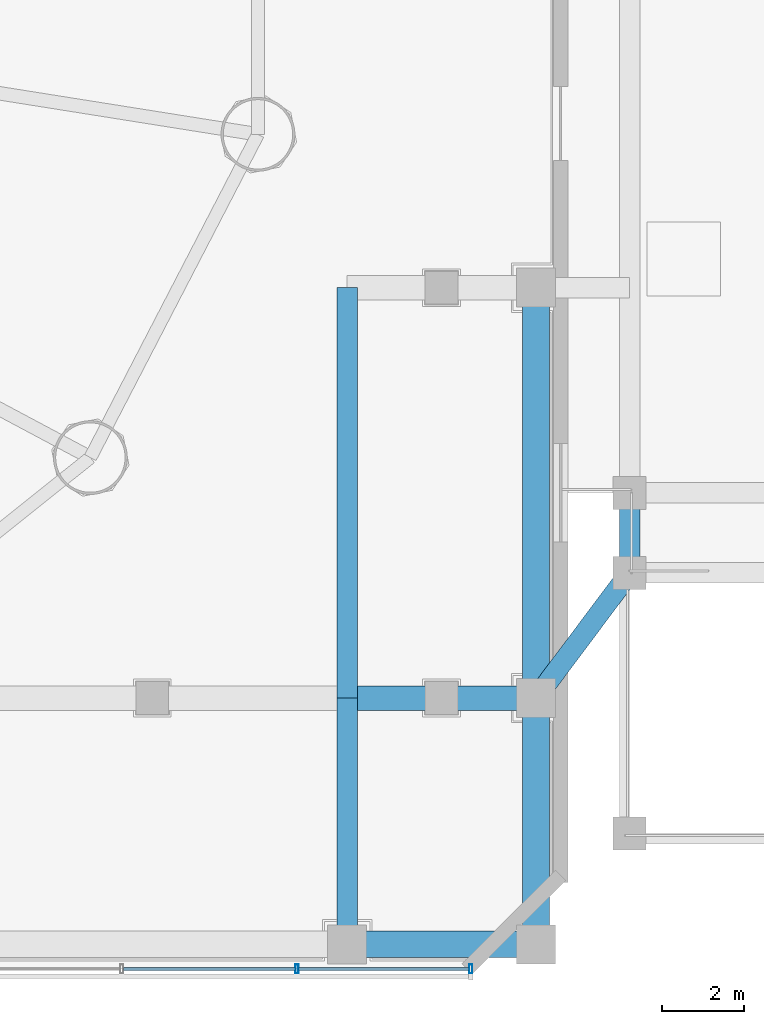
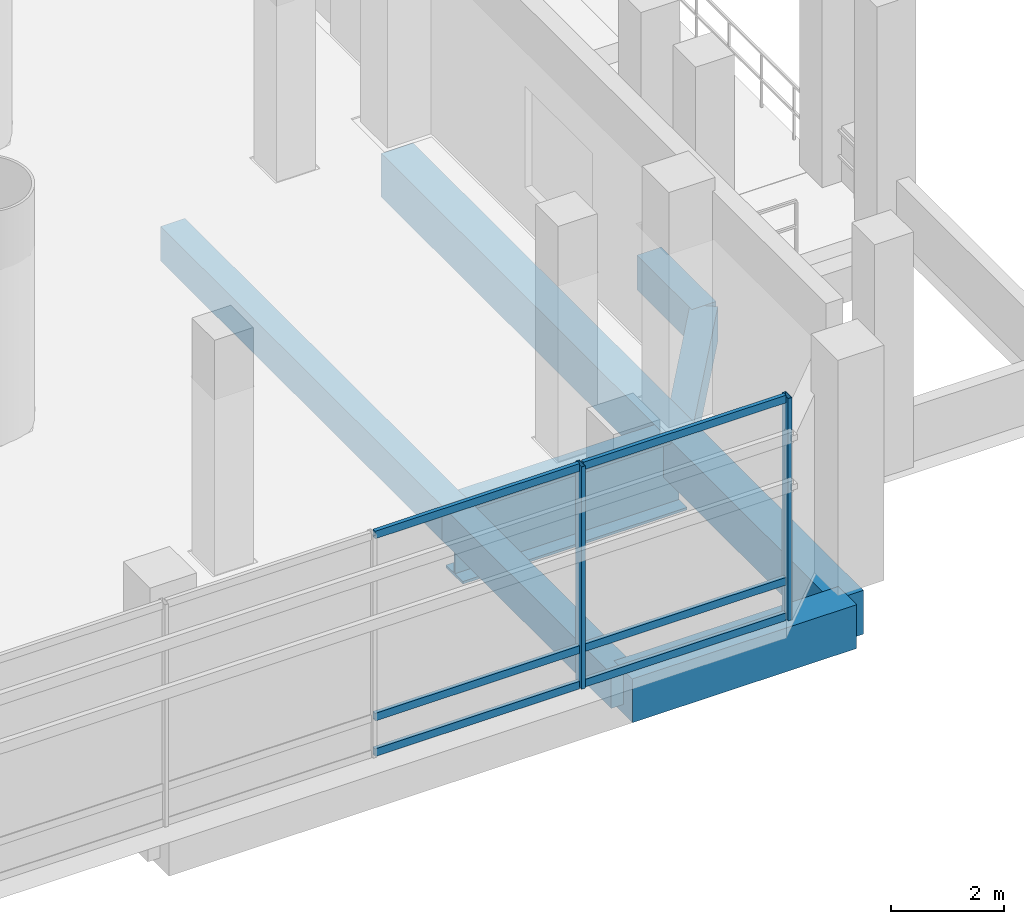
# One storey, part 16 of 31: 8 beams, 8 members, 1 element without a shape of its own.
"""IFC4 building model written with IfcOpenShell, lengths in metres."""

from ifc_helpers import new_model, si_unit, direction, frame, origin, origin_2d, place, context, subcontext, project, spatial, rectangle, hollow_rectangle, i_section, extrude, source, transform, mapped, material, material_profile, profile_set, type_object, element, aggregate, save


model = new_model("IFC4")

# Units and contexts
model_context = context("Model", 3, precision=1e-05, world=origin(), true_north=direction((-0.2419218956, 0.970295726276)))
body_context = subcontext(model_context, "Body", "Model", "MODEL_VIEW")
ifc_project = project(units=[si_unit("LENGTHUNIT", "METRE"), si_unit("AREAUNIT", "SQUARE_METRE"), si_unit("VOLUMEUNIT", "CUBIC_METRE"), si_unit("PLANEANGLEUNIT", "RADIAN"), si_unit("MASSUNIT", "GRAM", prefix="KILO")], contexts=[model_context])

# Site, building, storey
site_placement = place(None, origin())
site = spatial("IfcSite", under=ifc_project, at=site_placement, CompositionType="ELEMENT")
building_placement = place(site_placement, origin())
building = spatial("IfcBuilding", under=site, at=building_placement, Name="Cobrevalo Terracotta Tower", CompositionType="ELEMENT")
storey_placement = place(building_placement, frame((0.0, 0.0, 18.89990234375)))
storey = spatial("IfcBuildingStorey", under=building, at=storey_placement, Name="L04", CompositionType="ELEMENT", Elevation=18.89990234375)

# Beams
ifc_material_1 = material(Name="Concrete C50", Category="concrete")
ifc_material_profile_1 = material_profile(ifc_material_1, rectangle(XDim=0.64990234375, YDim=0.949951171875, at=origin_2d()), Name="RC BM 650x950")
ifc_profile_set_1 = profile_set([ifc_material_profile_1], Name="Concrete C50")
beam_type_1 = type_object("IfcBeamType", Name="Structural Spandrel RC BM 650x950 (Concrete C50)", PredefinedType="SPANDREL", material=ifc_profile_set_1)
beam_1_placement = place(storey_placement, frame((67.0, 2.800048828125, -0.9248046875), z_axis=(1.0, 0.0, 0.0), x_axis=(0.0, 1.0, 0.0)))
element("IfcBeam", 1, at=beam_1_placement, inside=storey, type_object=beam_type_1, Name="L04 podium grid beam G8-GA to G9-GA", PredefinedType="SPANDREL", context=body_context, shape_type="SweptSolid", body=[
    extrude(rectangle(XDim=0.64990234375, YDim=0.949951171875, at=origin_2d()), origin(), (0.0, 0.0, 1.0), 4.60009765625),
])
beam_2_placement = place(storey_placement, frame((71.60009765625, 2.800048828125, -0.9248046875), z_axis=(0.0, 1.0, 0.0), x_axis=(-1.0, 0.0, 0.0)))
element("IfcBeam", 2, at=beam_2_placement, inside=storey, type_object=beam_type_1, Name="L04 podium grid beam G9-GA to G9-GB", PredefinedType="SPANDREL", context=body_context, shape_type="SweptSolid", body=[
    extrude(rectangle(XDim=0.64990234375, YDim=0.949951171875, at=origin_2d()), origin(), (0.0, 0.0, 1.0), 6.0),
])
beam_3_placement = place(storey_placement, frame((71.60009765625, 8.800048828125, -0.9248046875), z_axis=(0.0, 1.0, 0.0), x_axis=(-1.0, 0.0, 0.0)))
element("IfcBeam", 3, at=beam_3_placement, inside=storey, type_object=beam_type_1, Name="L04 podium grid beam G9-GB to G9-GC", PredefinedType="SPANDREL", context=body_context, shape_type="SweptSolid", body=[
    extrude(rectangle(XDim=0.64990234375, YDim=0.949951171875, at=origin_2d()), origin(), (0.0, 0.0, 1.0), 10.0),
])
ifc_material_profile_2 = material_profile(ifc_material_1, rectangle(XDim=0.5, YDim=0.75, at=origin_2d()), Name="RC BM 500x750")
ifc_profile_set_2 = profile_set([ifc_material_profile_2], Name="Concrete C50")
beam_type_2 = type_object("IfcBeamType", Name="Structural T Beam RC BM 500x750 (Concrete C50)", PredefinedType="T_BEAM", material=ifc_profile_set_2)
beam_4_placement = place(storey_placement, frame((67.0, 2.800048828125, -0.824951171875), z_axis=(0.0, 1.0, 0.0), x_axis=(-1.0, 0.0, 0.0)))
element("IfcBeam", 4, at=beam_4_placement, inside=storey, type_object=beam_type_2, Name="L04 podium grid beam G8-GA to G8-GB", PredefinedType="T_BEAM", context=body_context, shape_type="SweptSolid", body=[
    extrude(rectangle(XDim=0.5, YDim=0.75, at=origin_2d()), origin(), (0.0, 0.0, 1.0), 6.0),
])
beam_5_placement = place(storey_placement, frame((67.0, 8.800048828125, -0.824951171875), z_axis=(0.0, 1.0, 0.0), x_axis=(-1.0, 0.0, 0.0)))
element("IfcBeam", 5, at=beam_5_placement, inside=storey, type_object=beam_type_2, Name="L04 podium grid beam G8-GB to G8-GC", PredefinedType="T_BEAM", context=body_context, shape_type="SweptSolid", body=[
    extrude(rectangle(XDim=0.5, YDim=0.75, at=origin_2d()), origin(), (0.0, 0.0, 1.0), 10.0),
])
beam_6_placement = place(storey_placement, frame((73.8798828125, 11.85009765625, -0.824951171875), z_axis=(0.0, 1.0, 0.0), x_axis=(-1.0, 0.0, 0.0)))
element("IfcBeam", 6, at=beam_6_placement, inside=storey, type_object=beam_type_2, Name="L04 garden stair landing side beam E1", PredefinedType="T_BEAM", context=body_context, shape_type="SweptSolid", body=[
    extrude(rectangle(XDim=0.5, YDim=0.75, at=origin_2d()), origin(), (0.0, 0.0, 1.0), 1.949951171875),
])
beam_7_placement = place(storey_placement, frame((73.8798828125, 11.85009765625, -0.824951171875), z_axis=(-0.59869640819, -0.800976036359, 0.0), x_axis=(0.800976036359, -0.59869640819, 0.0)))
element("IfcBeam", 7, at=beam_7_placement, inside=storey, type_object=beam_type_2, Name="L04 garden stair frame tie beam E1", PredefinedType="T_BEAM", context=body_context, shape_type="SweptSolid", body=[
    extrude(rectangle(XDim=0.5, YDim=0.75, at=origin_2d()), origin(), (0.0, 0.0, 1.0), 3.807861328125),
])
ifc_material_2 = material(Name="Steel S355", Category="steel")
ifc_material_profile_3 = material_profile(ifc_material_2, i_section(OverallWidth=0.60009765625, OverallDepth=1.60009765625, WebThickness=0.031982421875, FlangeThickness=0.054931640625, at=origin_2d()), Name="PG 1600x600")
ifc_profile_set_3 = profile_set([ifc_material_profile_3], Name="Steel S355")
beam_type_3 = type_object("IfcBeamType", Name="Transfer Girder PG 1600x600 (Steel S355)", PredefinedType="BEAM", material=ifc_profile_set_3)
beam_8_placement = place(storey_placement, frame((67.0, 8.800048828125, -1.25), z_axis=(1.0, 0.0, 0.0), x_axis=(0.0, 1.0, 0.0)))
element("IfcBeam", 8, at=beam_8_placement, inside=storey, type_object=beam_type_3, Name="L04 podium transfer girder TG-E1", PredefinedType="BEAM", context=body_context, shape_type="SweptSolid", body=[
    extrude(i_section(OverallWidth=0.60009765625, OverallDepth=1.60009765625, WebThickness=0.031982421875, FlangeThickness=0.054931640625, at=origin_2d()), origin(), (0.0, 0.0, 1.0), 4.60009765625),
])

# Curtain wall, members
ifc_material_3 = material(Name="Anodized aluminium", Category="aluminium")
curtain_wall_type = type_object("IfcCurtainWallType", Name="Podium gallery & conservatory curtain wall CW-S2", PredefinedType="NOTDEFINED", material=ifc_material_3)
curtain_wall_placement = place(storey_placement, origin())
curtain_wall = element("IfcCurtainWall", 9, at=curtain_wall_placement, inside=storey, type_object=curtain_wall_type, Name="L04 curtain wall CW-POD-L04-S", PredefinedType="NOTDEFINED")
ifc_material_profile_4 = material_profile(ifc_material_3, hollow_rectangle(XDim=0.080078125, YDim=0.1650390625, WallThickness=0.00439453125, at=origin_2d()), Name="CWT 80x165")
ifc_profile_set_4 = profile_set([ifc_material_profile_4], Name="Anodized aluminium")
member_type_1 = type_object("IfcMemberType", Name="Storefront & atrium aluminium transom 80x165", PredefinedType="USERDEFINED", material=ifc_profile_set_4)
shared_shape_1 = source(origin(), body_context, "Body", "SweptSolid", [
    extrude(hollow_rectangle(XDim=0.080078125, YDim=0.1650390625, WallThickness=0.00439453125, at=origin_2d()), origin(), (0.0, 0.0, 1.0), 4.1533203125),
])
member_1_placement = place(storey_placement, frame((65.816650390625, 2.199951171875, 0.050048828125), z_axis=(1.0, 0.0, 0.0), x_axis=(0.0, 1.0, 0.0)))
member_1 = element("IfcMember", 10, at=member_1_placement, type_object=member_type_1, Name="CW-POD-L04-S transom B15-T1", ObjectType="TRANSOM", PredefinedType="USERDEFINED", context=body_context, shape_type="MappedRepresentation", body=[
    mapped(shared_shape_1, transform((0.0, 0.0, 0.0), scale=1.0)),
])
member_2_placement = place(storey_placement, frame((65.816650390625, 2.199951171875, 0.820068359375), z_axis=(1.0, 0.0, 0.0), x_axis=(0.0, 1.0, 0.0)))
member_2 = element("IfcMember", 11, at=member_2_placement, type_object=member_type_1, Name="CW-POD-L04-S transom B15-T2", ObjectType="TRANSOM", PredefinedType="USERDEFINED", context=body_context, shape_type="MappedRepresentation", body=[
    mapped(shared_shape_1, transform((0.0, 0.0, 0.0), scale=1.0)),
])
member_3_placement = place(storey_placement, frame((65.816650390625, 2.199951171875, 4.77001953125), z_axis=(1.0, 0.0, 0.0), x_axis=(0.0, 1.0, 0.0)))
member_3 = element("IfcMember", 12, at=member_3_placement, type_object=member_type_1, Name="CW-POD-L04-S transom B15-T3", ObjectType="TRANSOM", PredefinedType="USERDEFINED", context=body_context, shape_type="MappedRepresentation", body=[
    mapped(shared_shape_1, transform((0.0, 0.0, 0.0), scale=1.0)),
])
shared_shape_2 = source(origin(), body_context, "Body", "SweptSolid", [
    extrude(hollow_rectangle(XDim=0.080078125, YDim=0.1650390625, WallThickness=0.00439453125, at=origin_2d()), origin(), (0.0, 0.0, 1.0), 4.193359375),
])
member_4_placement = place(storey_placement, frame((61.543212890625, 2.199951171875, 0.050048828125), z_axis=(1.0, 0.0, 0.0), x_axis=(0.0, 1.0, 0.0)))
member_4 = element("IfcMember", 13, at=member_4_placement, type_object=member_type_1, Name="CW-POD-L04-S transom B14-T1", ObjectType="TRANSOM", PredefinedType="USERDEFINED", context=body_context, shape_type="MappedRepresentation", body=[
    mapped(shared_shape_2, transform((0.0, 0.0, 0.0), scale=1.0)),
])
member_5_placement = place(storey_placement, frame((61.543212890625, 2.199951171875, 0.820068359375), z_axis=(1.0, 0.0, 0.0), x_axis=(0.0, 1.0, 0.0)))
member_5 = element("IfcMember", 14, at=member_5_placement, type_object=member_type_1, Name="CW-POD-L04-S transom B14-T2", ObjectType="TRANSOM", PredefinedType="USERDEFINED", context=body_context, shape_type="MappedRepresentation", body=[
    mapped(shared_shape_2, transform((0.0, 0.0, 0.0), scale=1.0)),
])
member_6_placement = place(storey_placement, frame((61.543212890625, 2.199951171875, 4.77001953125), z_axis=(1.0, 0.0, 0.0), x_axis=(0.0, 1.0, 0.0)))
member_6 = element("IfcMember", 15, at=member_6_placement, type_object=member_type_1, Name="CW-POD-L04-S transom B14-T3", ObjectType="TRANSOM", PredefinedType="USERDEFINED", context=body_context, shape_type="MappedRepresentation", body=[
    mapped(shared_shape_2, transform((0.0, 0.0, 0.0), scale=1.0)),
])
ifc_material_profile_5 = material_profile(ifc_material_3, hollow_rectangle(XDim=0.080078125, YDim=0.219970703125, WallThickness=0.0048828125, at=origin_2d()), Name="CWM 80x220")
ifc_profile_set_5 = profile_set([ifc_material_profile_5], Name="Anodized aluminium")
member_type_2 = type_object("IfcMemberType", Name="Storefront & atrium aluminium mullion 80x220", PredefinedType="MULLION", material=ifc_profile_set_5)
shared_shape_3 = source(origin(), body_context, "Body", "SweptSolid", [
    extrude(hollow_rectangle(XDim=0.080078125, YDim=0.219970703125, WallThickness=0.0048828125, at=origin_2d()), origin(), (0.0, 0.0, 1.0), 4.820068359375),
])
member_7_placement = place(storey_placement, frame((65.776611328125, 2.199951171875, 0.0), z_axis=(0.0, 0.0, 1.0), x_axis=(1.0, 0.0, 0.0)))
member_7 = element("IfcMember", 16, at=member_7_placement, type_object=member_type_2, Name="CW-POD-L04-S vertical mullion 15", PredefinedType="MULLION", context=body_context, shape_type="MappedRepresentation", body=[
    mapped(shared_shape_3, transform((0.0, 0.0, 0.0), scale=1.0)),
])
member_8_placement = place(storey_placement, frame((70.010009765625, 2.199951171875, 0.0), z_axis=(0.0, 0.0, 1.0), x_axis=(1.0, 0.0, 0.0)))
member_8 = element("IfcMember", 17, at=member_8_placement, type_object=member_type_2, Name="CW-POD-L04-S vertical mullion 16", PredefinedType="MULLION", context=body_context, shape_type="MappedRepresentation", body=[
    mapped(shared_shape_3, transform((0.0, 0.0, 0.0), scale=1.0)),
])
aggregate(curtain_wall, [member_7, member_8, member_4, member_5, member_6, member_1, member_2, member_3])

save(model, "model.ifc")
